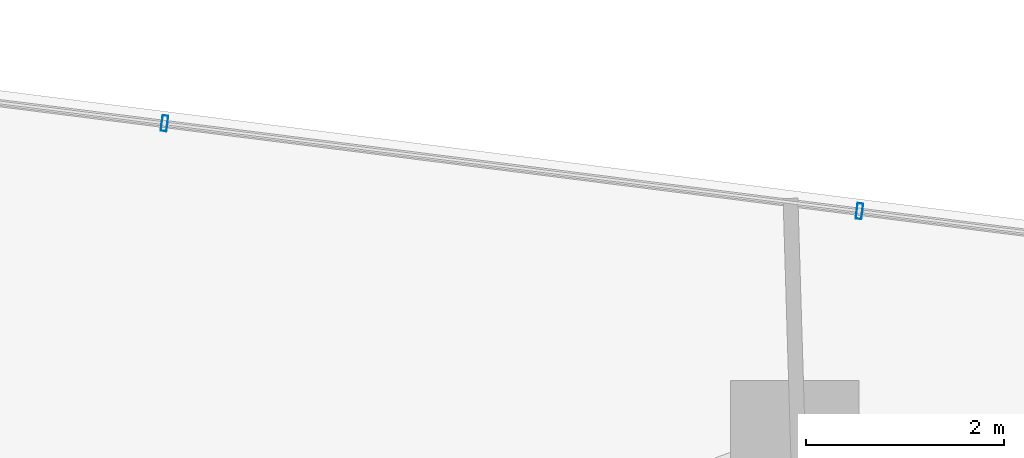
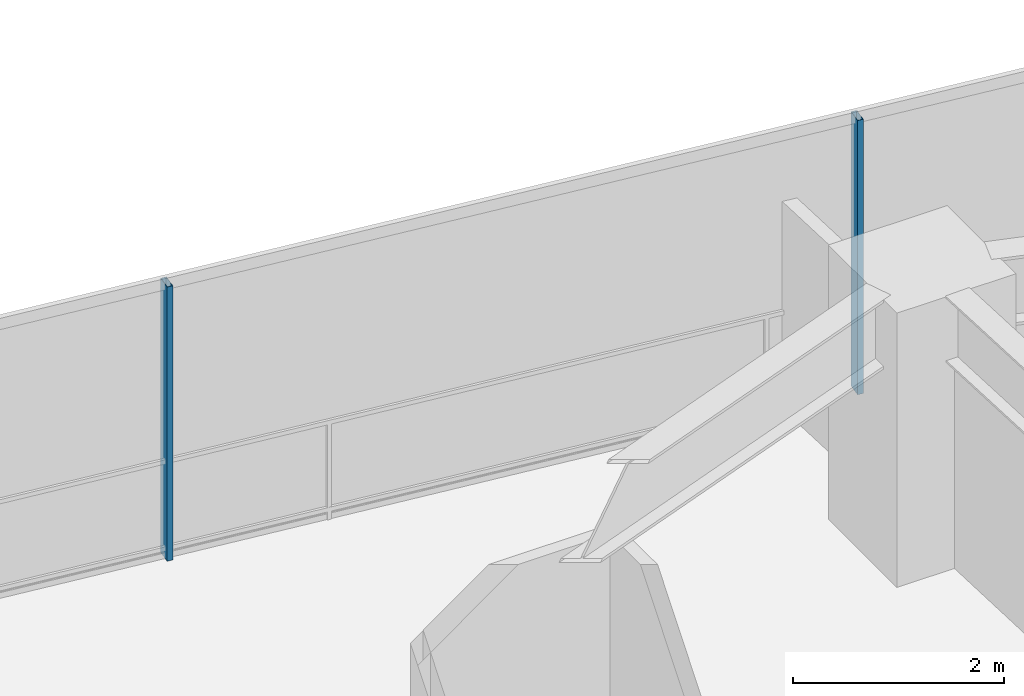
# One storey, part 20 of 30: 2 members, 1 element without a shape of its own.
"""IFC4 building model written with IfcOpenShell, lengths in metres."""

from ifc_helpers import new_model, si_unit, direction, frame, origin, origin_2d, place, context, subcontext, project, spatial, hollow_rectangle, extrude, material, layer, layer_set, material_profile, profile_set, type_object, element, aggregate, save


model = new_model("IFC4")

# Units and contexts
model_context = context("Model", 3, precision=1e-05, world=origin(), true_north=direction((0.0, 1.0)))
body_context = subcontext(model_context, "Body", "Model", "MODEL_VIEW")
ifc_project = project(units=[si_unit("LENGTHUNIT", "METRE"), si_unit("AREAUNIT", "SQUARE_METRE"), si_unit("VOLUMEUNIT", "CUBIC_METRE"), si_unit("PLANEANGLEUNIT", "RADIAN"), si_unit("MASSUNIT", "GRAM", prefix="KILO")], contexts=[model_context])

# Site, building, storey
site_placement = place(None, origin())
site = spatial("IfcSite", under=ifc_project, at=site_placement, CompositionType="ELEMENT")
building_placement = place(site_placement, origin())
building = spatial("IfcBuilding", under=site, at=building_placement, Name="Qarnah Convention Tower", CompositionType="ELEMENT")
storey_placement = place(building_placement, frame((0.0, 0.0, 40.800048828125)))
storey = spatial("IfcBuildingStorey", under=building, at=storey_placement, Name="L09", CompositionType="ELEMENT", Elevation=40.800048828125)

# Curtain wall, members
ifc_material_1 = material(Name="Tempered Low-E dark glass", Category="glass")
ifc_layer = layer(ifc_material_1, 0.16796875)
ifc_layer_set = layer_set([ifc_layer], Name="Tempered Low-E dark glass")
curtain_wall_type = type_object("IfcCurtainWallType", Name="CWS-01", PredefinedType="NOTDEFINED", material=ifc_layer_set)
curtain_wall_placement = place(storey_placement, origin())
curtain_wall = element("IfcCurtainWall", 1, at=curtain_wall_placement, inside=storey, type_object=curtain_wall_type, Name="L09 unitised curtain wall CW-L09-F2", PredefinedType="NOTDEFINED")
ifc_material_2 = material(Name="Black anodised aluminium", Category="aluminium")
ifc_material_profile = material_profile(ifc_material_2, hollow_rectangle(XDim=0.06005859375, YDim=0.159912109375, WallThickness=0.00390625, at=origin_2d()), Name="MUL-60X160")
ifc_profile_set = profile_set([ifc_material_profile], Name="Black anodised aluminium")
member_type = type_object("IfcMemberType", Name="MUL-T1", PredefinedType="MULLION", material=ifc_profile_set)
member_1_placement = place(storey_placement, frame((30.243896484375, 46.193359375, 0.0), z_axis=(0.0, 0.0, 1.0), x_axis=(0.992116488383, -0.125319086651, 0.0)))
member_1 = element("IfcMember", 2, at=member_1_placement, type_object=member_type, Name="CW-L09-F2 mullion 2", PredefinedType="MULLION", context=body_context, shape_type="SweptSolid", body=[
    extrude(hollow_rectangle(XDim=0.06005859375, YDim=0.159912109375, WallThickness=0.00390625, at=origin_2d()), origin(), (0.0, 0.0, 1.0), 3.169921875),
])
member_2_placement = place(storey_placement, frame((37.278564453125, 45.3046875, 0.0), z_axis=(0.0, 0.0, 1.0), x_axis=(0.992116488383, -0.125319086651, 0.0)))
member_2 = element("IfcMember", 3, at=member_2_placement, type_object=member_type, Name="CW-L09-F2 mullion 3", PredefinedType="MULLION", context=body_context, shape_type="SweptSolid", body=[
    extrude(hollow_rectangle(XDim=0.06005859375, YDim=0.159912109375, WallThickness=0.00390625, at=origin_2d()), origin(), (0.0, 0.0, 1.0), 3.169921875),
])
aggregate(curtain_wall, [member_1, member_2])

save(model, "model.ifc")
